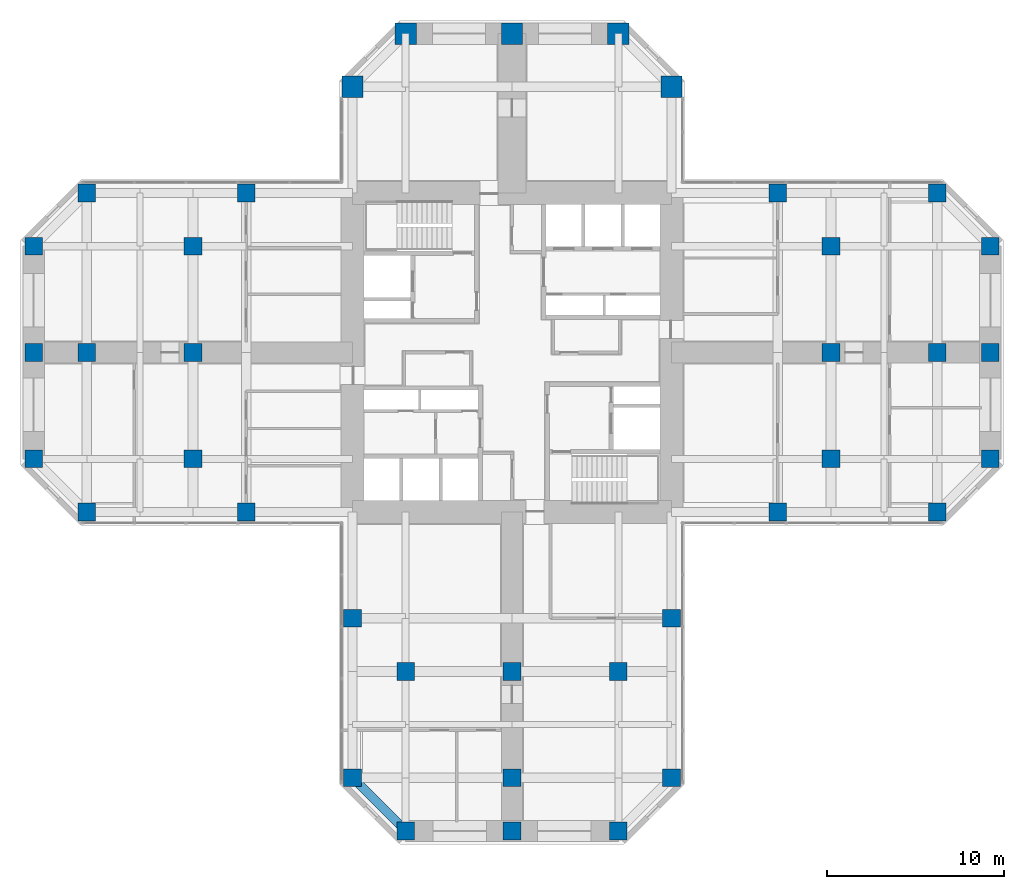
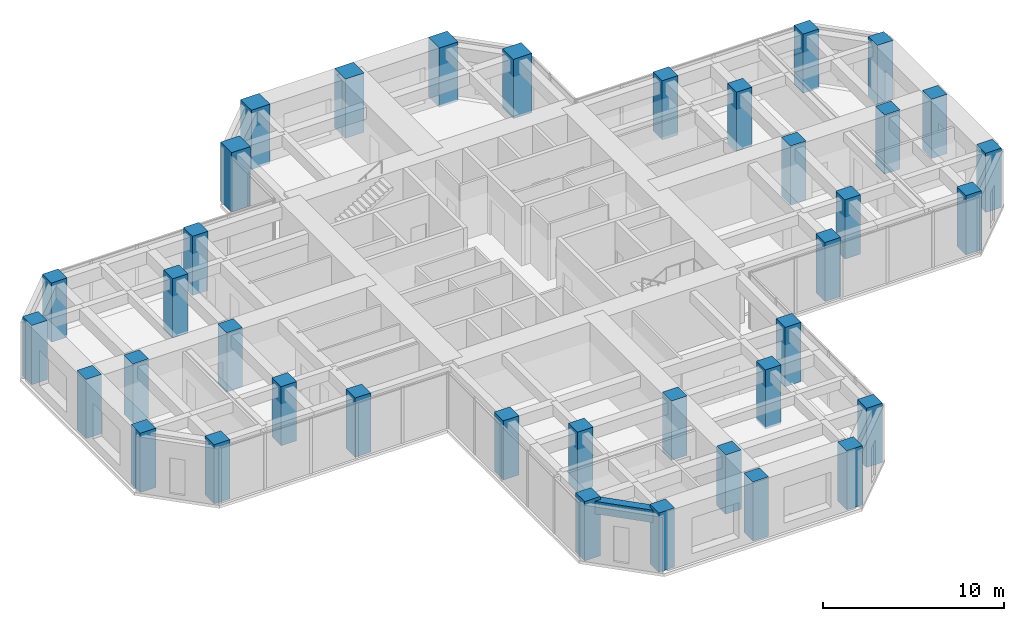
# One storey, part 1 of 12: 38 columns, 1 beam.
"""IFC4 building model written with IfcOpenShell, lengths in metres."""

from ifc_helpers import new_model, si_unit, direction, frame, origin, origin_2d, place, context, subcontext, project, spatial, rectangle, extrude, material, material_profile, profile_set, type_object, element, save


model = new_model("IFC4")

# Units and contexts
model_context = context("Model", 3, precision=1e-05, world=origin(), true_north=direction((0.0, 1.0)))
body_context = subcontext(model_context, "Body", "Model", "MODEL_VIEW")
ifc_project = project(units=[si_unit("LENGTHUNIT", "METRE"), si_unit("AREAUNIT", "SQUARE_METRE"), si_unit("VOLUMEUNIT", "CUBIC_METRE"), si_unit("PLANEANGLEUNIT", "RADIAN"), si_unit("MASSUNIT", "GRAM", prefix="KILO")], contexts=[model_context])

# Site, building, storey
site_placement = place(None, origin())
site = spatial("IfcSite", under=ifc_project, at=site_placement, CompositionType="ELEMENT")
building_placement = place(site_placement, origin())
building = spatial("IfcBuilding", under=site, at=building_placement, Name="Torre Cruceta", CompositionType="ELEMENT")
storey_placement = place(building_placement, frame((0.0, 0.0, 108.5)))
storey = spatial("IfcBuildingStorey", under=building, at=storey_placement, Name="L26", CompositionType="ELEMENT", Elevation=108.5)

# Columns
ifc_material_1 = material(Name="Concrete G60 (fck 60 MPa)", Category="concrete")
ifc_material_profile_1 = material_profile(ifc_material_1, rectangle(XDim=1.0, YDim=1.0, at=origin_2d()), Name="RC 1000X1000")
ifc_profile_set_1 = profile_set([ifc_material_profile_1], Name="Concrete G60 (fck 60 MPa)")
column_type_1 = type_object("IfcColumnType", Name="COLUMN RC 1000X1000", PredefinedType="COLUMN", material=ifc_profile_set_1)
for number, where, z_axis, x_axis, name in (
    (1, (15.0, -9.0, 0.0), (0.0, 0.0, 1.0), (1.0, 0.0, 0.0), "C5 L26 E side"),
    (2, (24.0, -9.0, 0.0), (0.0, 0.0, 1.0), (1.0, 0.0, 0.0), "C5 L26 E chamfer"),
    (3, (15.0, 9.0, 0.0), (0.0, 0.0, 1.0), (1.0, 0.0, 0.0), "C5 L26 E side"),
    (4, (24.0, 9.0, 0.0), (0.0, 0.0, 1.0), (1.0, 0.0, 0.0), "C5 L26 E chamfer"),
    (5, (27.0, -6.0, 0.0), (0.0, 0.0, 1.0), (1.0, 0.0, 0.0), "C5 L26 E tip"),
    (6, (27.0, 0.0, 0.0), (0.0, 0.0, 1.0), (1.0, 0.0, 0.0), "C5 L26 E tip"),
    (7, (27.0, 6.0, 0.0), (0.0, 0.0, 1.0), (1.0, 0.0, 0.0), "C5 L26 E tip"),
    (8, (-9.0, -15.0, 0.0), (0.0, 0.0, 1.0), (1.0, 0.0, 0.0), "C5 L26 S side"),
    (9, (-9.0, -24.0, 0.0), (0.0, 0.0, 1.0), (1.0, 0.0, 0.0), "C5 L26 S chamfer"),
    (10, (9.0, -15.0, 0.0), (0.0, 0.0, 1.0), (1.0, 0.0, 0.0), "C5 L26 S side"),
    (11, (9.0, -24.0, 0.0), (0.0, 0.0, 1.0), (1.0, 0.0, 0.0), "C5 L26 S chamfer"),
    (12, (-6.0, -27.0, 0.0), (0.0, 0.0, 1.0), (1.0, 0.0, 0.0), "C5 L26 S tip"),
    (13, (0.0, -27.0, 0.0), (0.0, 0.0, 1.0), (1.0, 0.0, 0.0), "C5 L26 S tip"),
    (14, (6.0, -27.0, 0.0), (0.0, 0.0, 1.0), (1.0, 0.0, 0.0), "C5 L26 S tip"),
    (15, (-15.0, 9.0, 0.0), (0.0, 0.0, 1.0), (1.0, 0.0, 0.0), "C5 L26 W side"),
    (16, (-24.0, 9.0, 0.0), (0.0, 0.0, 1.0), (1.0, 0.0, 0.0), "C5 L26 W chamfer"),
    (17, (-15.0, -9.0, 0.0), (0.0, 0.0, 1.0), (1.0, 0.0, 0.0), "C5 L26 W side"),
    (18, (-24.0, -9.0, 0.0), (0.0, 0.0, 1.0), (1.0, 0.0, 0.0), "C5 L26 W chamfer"),
    (19, (-27.0, 6.0, 0.0), (0.0, 0.0, 1.0), (1.0, 0.0, 0.0), "C5 L26 W tip"),
    (20, (-27.0, 0.0, 0.0), (0.0, 0.0, 1.0), (1.0, 0.0, 0.0), "C5 L26 W tip"),
    (21, (-27.0, -6.0, 0.0), (0.0, 0.0, 1.0), (1.0, 0.0, 0.0), "C5 L26 W tip"),
    (22, (18.0, -6.0, 0.0), (0.0, 0.0, 1.0), (1.0, 0.0, 0.0), "C5 L26 E interior"),
    (23, (18.0, 0.0, 0.0), (0.0, 0.0, 1.0), (1.0, 0.0, 0.0), "C5 L26 E interior"),
    (24, (18.0, 6.0, 0.0), (0.0, 0.0, 1.0), (1.0, 0.0, 0.0), "C5 L26 E interior"),
    (25, (24.0, 0.0, 0.0), (0.0, 0.0, 1.0), (1.0, 0.0, 0.0), "C5 L26 E interior"),
    (26, (-6.0, -18.0, 0.0), (0.0, 0.0, 1.0), (1.0, 0.0, 0.0), "C5 L26 S interior"),
    (27, (0.0, -18.0, 0.0), (0.0, 0.0, 1.0), (1.0, 0.0, 0.0), "C5 L26 S interior"),
    (28, (6.0, -18.0, 0.0), (0.0, 0.0, 1.0), (1.0, 0.0, 0.0), "C5 L26 S interior"),
    (29, (0.0, -24.0, 0.0), (0.0, 0.0, 1.0), (1.0, 0.0, 0.0), "C5 L26 S interior"),
    (30, (-18.0, 6.0, 0.0), (0.0, 0.0, 1.0), (1.0, 0.0, 0.0), "C5 L26 W interior"),
    (31, (-18.0, 0.0, 0.0), (0.0, 0.0, 1.0), (1.0, 0.0, 0.0), "C5 L26 W interior"),
    (32, (-18.0, -6.0, 0.0), (0.0, 0.0, 1.0), (1.0, 0.0, 0.0), "C5 L26 W interior"),
    (33, (-24.0, 0.0, 0.0), (0.0, 0.0, 1.0), (1.0, 0.0, 0.0), "C5 L26 W interior"),
):
    element("IfcColumn", number, at=place(storey_placement, frame(where, z_axis=z_axis, x_axis=x_axis)), inside=storey, type_object=column_type_1, Name=name, PredefinedType="COLUMN", context=body_context, shape_type="SweptSolid", body=[
        extrude(rectangle(XDim=1.0, YDim=1.0, at=origin_2d()), origin(), (0.0, 0.0, 1.0), 4.0),
    ])
ifc_material_2 = material(Name="Concrete G60 (fck 60 MPa)", Category="concrete")
ifc_material_profile_2 = material_profile(ifc_material_2, rectangle(XDim=1.199951171875, YDim=1.199951171875, at=origin_2d()), Name="RC 1200X1200")
ifc_profile_set_2 = profile_set([ifc_material_profile_2], Name="Concrete G60 (fck 60 MPa)")
column_type_2 = type_object("IfcColumnType", Name="COLUMN RC 1200X1200", PredefinedType="COLUMN", material=ifc_profile_set_2)
for number, where, z_axis, x_axis, name in (
    (34, (9.0, 15.0, 0.0), (0.0, 0.0, 1.0), (1.0, 0.0, 0.0), "C3 L26 N chamfer"),
    (35, (-9.0, 15.0, 0.0), (0.0, 0.0, 1.0), (1.0, 0.0, 0.0), "C3 L26 N chamfer"),
    (36, (6.0, 18.0, 0.0), (0.0, 0.0, 1.0), (1.0, 0.0, 0.0), "C3 L26 N tip"),
    (37, (0.0, 18.0, 0.0), (0.0, 0.0, 1.0), (1.0, 0.0, 0.0), "C3 L26 N tip"),
    (38, (-6.0, 18.0, 0.0), (0.0, 0.0, 1.0), (1.0, 0.0, 0.0), "C3 L26 N tip"),
):
    element("IfcColumn", number, at=place(storey_placement, frame(where, z_axis=z_axis, x_axis=x_axis)), inside=storey, type_object=column_type_2, Name=name, PredefinedType="COLUMN", context=body_context, shape_type="SweptSolid", body=[
        extrude(rectangle(XDim=1.199951171875, YDim=1.199951171875, at=origin_2d()), origin(), (0.0, 0.0, 1.0), 4.0),
    ])

# Beam
ifc_material_3 = material(Name="Concrete G60 (fck 60 MPa)", Category="concrete")
ifc_material_profile_3 = material_profile(ifc_material_3, rectangle(XDim=0.5, YDim=0.85009765625, at=origin_2d()), Name="RC 500X850")
ifc_profile_set_3 = profile_set([ifc_material_profile_3], Name="Concrete G60 (fck 60 MPa)")
beam_type = type_object("IfcBeamType", Name="SPANDREL BEAM RC 500X850", PredefinedType="SPANDREL", material=ifc_profile_set_3)
beam_placement = place(storey_placement, frame((-9.0, -24.0, 3.375), z_axis=(0.707106781187, -0.707106781187, 0.0), x_axis=(0.707106781187, 0.707106781187, 0.0)))
element("IfcBeam", 39, at=beam_placement, inside=storey, type_object=beam_type, Name="SB5 L26 S side- 5", PredefinedType="SPANDREL", context=body_context, shape_type="SweptSolid", body=[
    extrude(rectangle(XDim=0.5, YDim=0.85009765625, at=origin_2d()), origin(), (0.0, 0.0, 1.0), 4.24267578125),
])

save(model, "model.ifc")
